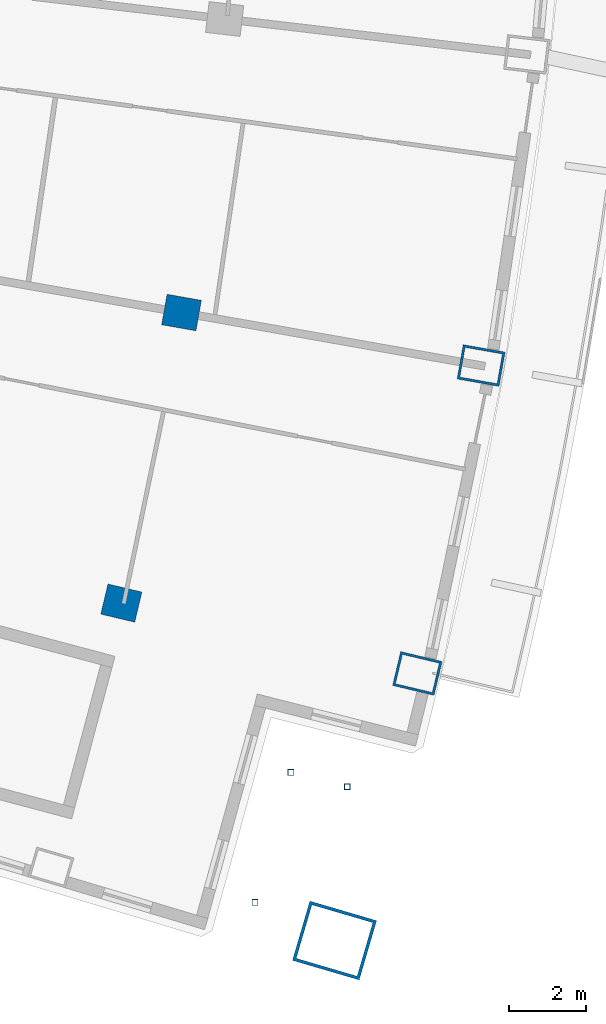
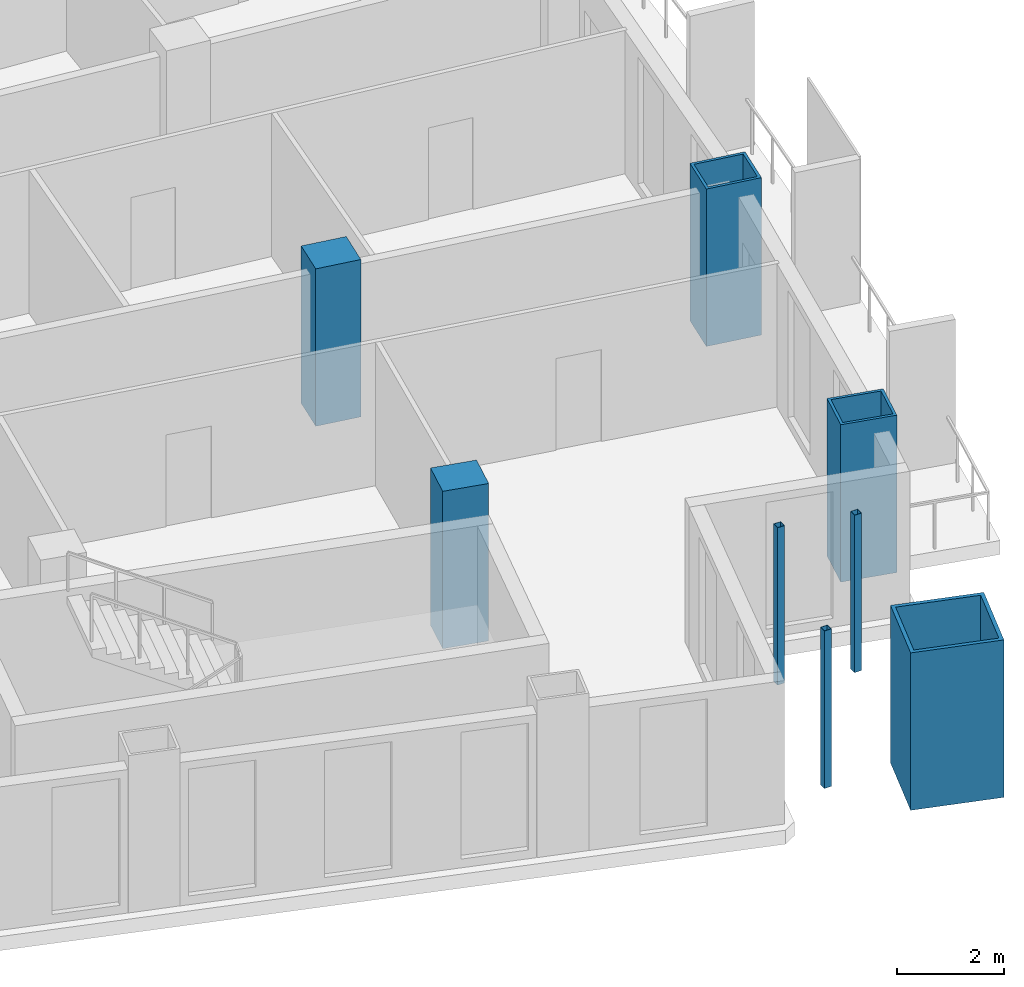
# One storey, part 3 of 20: 8 columns.
"""IFC4 building model written with IfcOpenShell, lengths in metres."""

from ifc_helpers import new_model, si_unit, direction, frame, origin, origin_2d, place, context, subcontext, project, spatial, rectangle, hollow_rectangle, extrude, material, material_profile, profile_set, type_object, element, save


model = new_model("IFC4")

# Units and contexts
model_context = context("Model", 3, precision=1e-05, world=origin(), true_north=direction((0.0, 1.0)))
body_context = subcontext(model_context, "Body", "Model", "MODEL_VIEW")
ifc_project = project(units=[si_unit("LENGTHUNIT", "METRE"), si_unit("AREAUNIT", "SQUARE_METRE"), si_unit("VOLUMEUNIT", "CUBIC_METRE"), si_unit("PLANEANGLEUNIT", "RADIAN"), si_unit("MASSUNIT", "GRAM", prefix="KILO")], contexts=[model_context])

# Site, building, storey
site_placement = place(None, origin())
site = spatial("IfcSite", under=ifc_project, at=site_placement, CompositionType="ELEMENT")
building_placement = place(site_placement, origin())
building = spatial("IfcBuilding", under=site, at=building_placement, Name="Alderwake Tower", CompositionType="ELEMENT")
storey_placement = place(building_placement, frame((0.0, 0.0, 164.0)))
storey = spatial("IfcBuildingStorey", under=building, at=storey_placement, Name="L40", CompositionType="ELEMENT", Elevation=164.0)

# Columns
ifc_material_1 = material(Name="Concrete C70/85", Category="concrete")
ifc_material_profile_1 = material_profile(ifc_material_1, rectangle(XDim=0.800048828125, YDim=0.89990234375, at=origin_2d()), Name="RC 900X800")
ifc_profile_set_1 = profile_set([ifc_material_profile_1], Name="Concrete C70/85")
column_type_1 = type_object("IfcColumnType", Name="Interior column Z3", PredefinedType="COLUMN", material=ifc_profile_set_1)
for number, where, z_axis, x_axis, name in (
    (1, (47.968994140625, 30.586669921875, 0.0), (0.0, 0.0, 1.0), (0.231221547198, 0.972901123502, 0.0), "Column R03-C4"),
    (2, (49.5244140625, 38.09912109375, 0.0), (0.0, 0.0, 1.0), (0.174108800747, 0.984726421654, 0.0), "Column R04-C4"),
):
    element("IfcColumn", number, at=place(storey_placement, frame(where, z_axis=z_axis, x_axis=x_axis)), inside=storey, type_object=column_type_1, Name=name, PredefinedType="COLUMN", context=body_context, shape_type="SweptSolid", body=[
        extrude(rectangle(XDim=0.800048828125, YDim=0.89990234375, at=origin_2d()), origin(), (0.0, 0.0, 1.0), 3.60009765625),
    ])
ifc_material_2 = material(Name="Steel ASTM A500 Grade C", Category="steel")
ifc_material_profile_2 = material_profile(ifc_material_2, hollow_rectangle(XDim=0.15234375, YDim=0.15234375, WallThickness=0.0087890625, at=origin_2d()), Name="HSS6X6X3/8")
ifc_profile_set_2 = profile_set([ifc_material_profile_2], Name="Steel ASTM A500 Grade C")
column_type_2 = type_object("IfcColumnType", Name="Light post HSS6X6X3/8", PredefinedType="COLUMN", material=ifc_profile_set_2)
for number, where, z_axis, x_axis, name in (
    (3, (53.807861328125, 25.840576171875, 0.0), (0.0, 0.0, 1.0), (1.0, 0.0, 0.0), "Terrace post FS1"),
    (4, (51.42431640625, 22.847900390625, 0.0), (0.0, 0.0, 1.0), (1.0, 0.0, 0.0), "Terrace post FS2"),
    (5, (52.353759765625, 26.208740234375, 0.0), (0.0, 0.0, 1.0), (1.0, 0.0, 0.0), "Terrace post FS3"),
):
    element("IfcColumn", number, at=place(storey_placement, frame(where, z_axis=z_axis, x_axis=x_axis)), inside=storey, type_object=column_type_2, Name=name, PredefinedType="COLUMN", context=body_context, shape_type="SweptSolid", body=[
        extrude(hollow_rectangle(XDim=0.15234375, YDim=0.15234375, WallThickness=0.0087890625, at=origin_2d()), origin(), (0.0, 0.0, 1.0), 3.60009765625),
    ])
ifc_material_3 = material(Name="Steel ASTM A572 Grade 50 concrete filled C70/85", Category="concrete")
ifc_material_profile_3 = material_profile(ifc_material_3, hollow_rectangle(XDim=1.60009765625, YDim=1.800048828125, WallThickness=0.080078125, at=origin_2d()), Name="BOX 1800X1600X80")
ifc_profile_set_3 = profile_set([ifc_material_profile_3], Name="Steel ASTM A572 Grade 50 concrete filled C70/85")
column_type_3 = type_object("IfcColumnType", Name="Mega column Z3", PredefinedType="COLUMN", material=ifc_profile_set_3)
column_placement = place(storey_placement, frame((53.480712890625, 21.86279296875, 0.0), z_axis=(0.0, 0.0, 1.0), x_axis=(0.281360158561, 0.959602241126, 0.0)))
element("IfcColumn", 6, at=column_placement, inside=storey, type_object=column_type_3, Name="Column R02-C5", PredefinedType="COLUMN", context=body_context, shape_type="SweptSolid", body=[
    extrude(hollow_rectangle(XDim=1.60009765625, YDim=1.800048828125, WallThickness=0.080078125, at=origin_2d()), origin(), (0.0, 0.0, 1.0), 3.60009765625),
])
ifc_material_4 = material(Name="Steel ASTM A572 Grade 50 concrete filled C70/85", Category="concrete")
ifc_material_profile_4 = material_profile(ifc_material_4, hollow_rectangle(XDim=0.89990234375, YDim=1.10009765625, WallThickness=0.06005859375, at=origin_2d()), Name="BOX 1100X900X60")
ifc_profile_set_4 = profile_set([ifc_material_profile_4], Name="Steel ASTM A572 Grade 50 concrete filled C70/85")
column_type_4 = type_object("IfcColumnType", Name="Perimeter column Z3", PredefinedType="COLUMN", material=ifc_profile_set_4)
for number, where, z_axis, x_axis, name in (
    (7, (55.622314453125, 28.767578125, 0.0), (0.0, 0.0, 1.0), (0.231221547198, 0.972901123502, 0.0), "Column R03-C5"),
    (8, (57.27099609375, 36.729248046875, 0.0), (0.0, 0.0, 1.0), (0.174108800747, 0.984726421654, 0.0), "Column R04-C5"),
):
    element("IfcColumn", number, at=place(storey_placement, frame(where, z_axis=z_axis, x_axis=x_axis)), inside=storey, type_object=column_type_4, Name=name, PredefinedType="COLUMN", context=body_context, shape_type="SweptSolid", body=[
        extrude(hollow_rectangle(XDim=0.89990234375, YDim=1.10009765625, WallThickness=0.06005859375, at=origin_2d()), origin(), (0.0, 0.0, 1.0), 3.60009765625),
    ])

save(model, "model.ifc")
